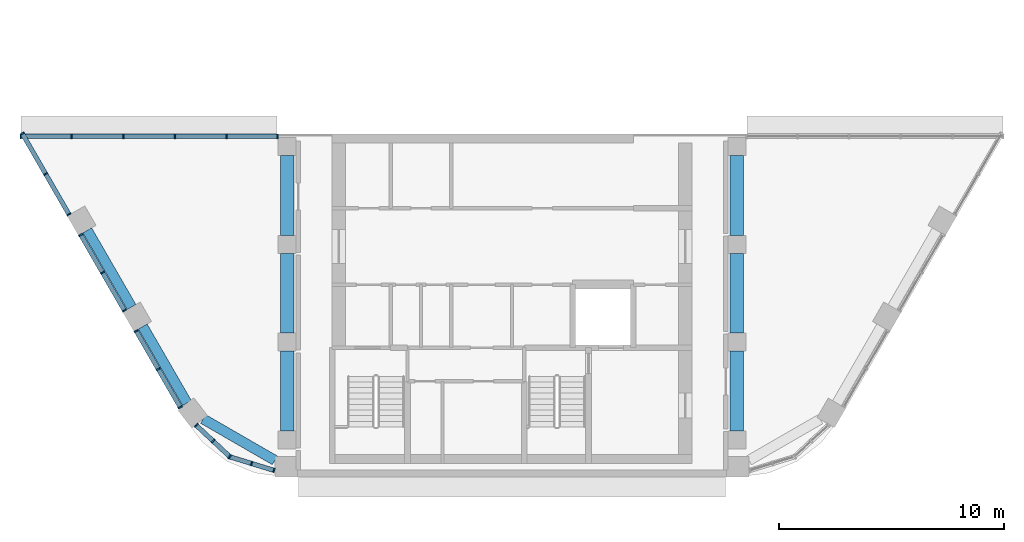
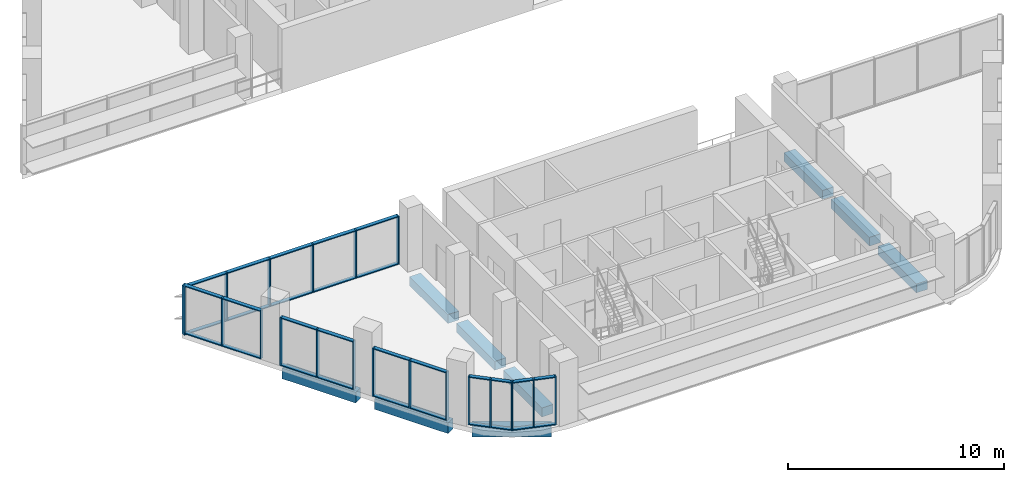
# One storey, part 2 of 15: 51 members, 9 beams, 6 elements without a shape of their own.
"""IFC4 building model written with IfcOpenShell, lengths in metres."""

from ifc_helpers import new_model, si_unit, direction, frame, origin, origin_2d, place, context, subcontext, project, spatial, rectangle, extrude, material, layer, layer_set, material_profile, profile_set, type_object, element, aggregate, save


model = new_model("IFC4")

# Units and contexts
model_context = context("Model", 3, precision=1e-05, world=origin(), true_north=direction((0.0, 1.0)))
body_context = subcontext(model_context, "Body", "Model", "MODEL_VIEW")
ifc_project = project(units=[si_unit("LENGTHUNIT", "METRE"), si_unit("AREAUNIT", "SQUARE_METRE"), si_unit("VOLUMEUNIT", "CUBIC_METRE"), si_unit("PLANEANGLEUNIT", "RADIAN"), si_unit("MASSUNIT", "GRAM", prefix="KILO")], contexts=[model_context])

# Site, building, storey
site_placement = place(None, origin())
site = spatial("IfcSite", under=ifc_project, at=site_placement, CompositionType="ELEMENT")
building_placement = place(site_placement, origin())
building = spatial("IfcBuilding", under=site, at=building_placement, Name="Nakaniwa Court", CompositionType="ELEMENT")
storey_placement = place(building_placement, frame((0.0, 0.0, 283.199951171875)))
storey = spatial("IfcBuildingStorey", under=building, at=storey_placement, Name="C04", CompositionType="ELEMENT", Elevation=283.199951171875)

# Beams
ifc_material_1 = material(Name="Concrete C80/100", Category="concrete")
ifc_material_profile_1 = material_profile(ifc_material_1, rectangle(XDim=0.449951171875, YDim=0.60009765625, at=origin_2d()), Name="Concrete C80/100 RC 450x600 spandrel beam")
ifc_profile_set_1 = profile_set([ifc_material_profile_1], Name="Concrete C80/100")
beam_type_1 = type_object("IfcBeamType", Name="Concrete C80/100 RC 450x600 spandrel beam", PredefinedType="BEAM", material=ifc_profile_set_1)
beam_1_placement = place(storey_placement, frame((61.110595703125, 68.3173828125, -0.574951171875), z_axis=(0.500021313302, -0.866013098194, 0.0), x_axis=(0.866013098194, 0.500021313302, 0.0)))
element("IfcBeam", 1, at=beam_1_placement, inside=storey, type_object=beam_type_1, Name="SPANDREL BEAM", PredefinedType="BEAM", context=body_context, shape_type="SweptSolid", body=[
    extrude(rectangle(XDim=0.449951171875, YDim=0.60009765625, at=origin_2d()), origin(), (0.0, 0.0, 1.0), 3.936279296875),
])
beam_2_placement = place(storey_placement, frame((63.578857421875, 64.04248046875, -0.574951171875), z_axis=(0.499958946799, -0.866049104564, 0.0), x_axis=(0.866049104564, 0.499958946799, 0.0)))
element("IfcBeam", 2, at=beam_2_placement, inside=storey, type_object=beam_type_1, Name="SPANDREL BEAM", PredefinedType="BEAM", context=body_context, shape_type="SweptSolid", body=[
    extrude(rectangle(XDim=0.449951171875, YDim=0.60009765625, at=origin_2d()), origin(), (0.0, 0.0, 1.0), 3.931884765625),
])
beam_3_placement = place(storey_placement, frame((66.265625, 59.929931640625, -0.574951171875), z_axis=(0.866006720078, -0.500032359733, 0.0), x_axis=(0.500032359733, 0.866006720078, 0.0)))
element("IfcBeam", 3, at=beam_3_placement, inside=storey, type_object=beam_type_1, Name="SPANDREL BEAM", PredefinedType="BEAM", context=body_context, shape_type="SweptSolid", body=[
    extrude(rectangle(XDim=0.449951171875, YDim=0.60009765625, at=origin_2d()), origin(), (0.0, 0.0, 1.0), 3.682373046875),
])
ifc_material_profile_2 = material_profile(ifc_material_1, rectangle(XDim=0.60009765625, YDim=0.5, at=origin_2d()), Name="Concrete C80/100 RC 600x500 ring beam")
ifc_profile_set_2 = profile_set([ifc_material_profile_2], Name="Concrete C80/100")
beam_type_2 = type_object("IfcBeamType", Name="Concrete C80/100 RC 600x500 ring beam", PredefinedType="BEAM", material=ifc_profile_set_2)
for number, where, z_axis, x_axis, name in (
    (4, (90.0, 59.39990234375, -0.52490234375), (0.0, 1.0, 0.0), (-1.0, 0.0, 0.0), "RING BEAM"),
    (5, (90.0, 63.75, -0.52490234375), (0.0, 1.0, 0.0), (-1.0, 0.0, 0.0), "RING BEAM"),
):
    element("IfcBeam", number, at=place(storey_placement, frame(where, z_axis=z_axis, x_axis=x_axis)), inside=storey, type_object=beam_type_2, Name=name, PredefinedType="BEAM", context=body_context, shape_type="SweptSolid", body=[
        extrude(rectangle(XDim=0.60009765625, YDim=0.5, at=origin_2d()), origin(), (0.0, 0.0, 1.0), 3.550048828125),
    ])
for number, where, z_axis, x_axis, name in (
    (6, (90.0, 68.10009765625, -0.52490234375), (0.0, 1.0, 0.0), (-1.0, 0.0, 0.0), "RING BEAM"),
    (7, (70.0, 71.64990234375, -0.52490234375), (0.0, -1.0, 0.0), (1.0, 0.0, 0.0), "RING BEAM"),
):
    element("IfcBeam", number, at=place(storey_placement, frame(where, z_axis=z_axis, x_axis=x_axis)), inside=storey, type_object=beam_type_2, Name=name, PredefinedType="BEAM", context=body_context, shape_type="SweptSolid", body=[
        extrude(rectangle(XDim=0.60009765625, YDim=0.5, at=origin_2d()), origin(), (0.0, 0.0, 1.0), 3.5498046875),
    ])
for number, where, z_axis, x_axis, name in (
    (8, (70.0, 67.300048828125, -0.52490234375), (0.0, -1.0, 0.0), (1.0, 0.0, 0.0), "RING BEAM"),
    (9, (70.0, 62.949951171875, -0.52490234375), (0.0, -1.0, 0.0), (1.0, 0.0, 0.0), "RING BEAM"),
):
    element("IfcBeam", number, at=place(storey_placement, frame(where, z_axis=z_axis, x_axis=x_axis)), inside=storey, type_object=beam_type_2, Name=name, PredefinedType="BEAM", context=body_context, shape_type="SweptSolid", body=[
        extrude(rectangle(XDim=0.60009765625, YDim=0.5, at=origin_2d()), origin(), (0.0, 0.0, 1.0), 3.550048828125),
    ])

# Curtain wall, members
ifc_material_2 = material(Name="Black anodised aluminium frame with dark low-E laminated double glazing", Category="aluminium")
ifc_layer = layer(ifc_material_2, 0.199951171875)
ifc_layer_set = layer_set([ifc_layer], Name="Black anodised aluminium frame with dark low-E laminated double glazing")
curtain_wall_type = type_object("IfcCurtainWallType", Name="Crown curtain wall", PredefinedType="NOTDEFINED", material=ifc_layer_set)
curtain_wall_1_placement = place(storey_placement, origin())
curtain_wall_1 = element("IfcCurtainWall", 10, at=curtain_wall_1_placement, inside=storey, type_object=curtain_wall_type, Name="C04 curtain wall CW4 04", PredefinedType="NOTDEFINED")
ifc_material_3 = material(Name="Black anodised aluminium extrusion", Category="aluminium")
ifc_material_profile_3 = material_profile(ifc_material_3, rectangle(XDim=0.199951171875, YDim=0.06494140625, at=origin_2d()), Name="Crown curtain wall mullion 65x200")
ifc_profile_set_3 = profile_set([ifc_material_profile_3], Name="Black anodised aluminium extrusion")
member_type_1 = type_object("IfcMemberType", Name="Crown curtain wall mullion 65x200", PredefinedType="MULLION", material=ifc_profile_set_3)
member_1_placement = place(storey_placement, frame((69.571533203125, 72.5, 0.0), z_axis=(0.0, 0.0, 1.0), x_axis=(0.0, -1.0, 0.0)))
member_1 = element("IfcMember", 11, at=member_1_placement, type_object=member_type_1, Name="CW4 mullion 1", PredefinedType="MULLION", context=body_context, shape_type="SweptSolid", body=[
    extrude(rectangle(XDim=0.199951171875, YDim=0.06494140625, at=origin_2d()), origin(), (0.0, 0.0, 1.0), 2.72509765625),
])
member_2_placement = place(storey_placement, frame((67.306884765625, 72.5, 0.0), z_axis=(0.0, 0.0, 1.0), x_axis=(0.0, -1.0, 0.0)))
member_2 = element("IfcMember", 12, at=member_2_placement, type_object=member_type_1, Name="CW4 mullion 2", PredefinedType="MULLION", context=body_context, shape_type="SweptSolid", body=[
    extrude(rectangle(XDim=0.199951171875, YDim=0.06494140625, at=origin_2d()), origin(), (0.0, 0.0, 1.0), 2.72509765625),
])
member_3_placement = place(storey_placement, frame((65.009765625, 72.5, 0.0), z_axis=(0.0, 0.0, 1.0), x_axis=(0.0, -1.0, 0.0)))
member_3 = element("IfcMember", 13, at=member_3_placement, type_object=member_type_1, Name="CW4 mullion 3", PredefinedType="MULLION", context=body_context, shape_type="SweptSolid", body=[
    extrude(rectangle(XDim=0.199951171875, YDim=0.06494140625, at=origin_2d()), origin(), (0.0, 0.0, 1.0), 2.72509765625),
])
member_4_placement = place(storey_placement, frame((62.712646484375, 72.5, 0.0), z_axis=(0.0, 0.0, 1.0), x_axis=(0.0, -1.0, 0.0)))
member_4 = element("IfcMember", 14, at=member_4_placement, type_object=member_type_1, Name="CW4 mullion 4", PredefinedType="MULLION", context=body_context, shape_type="SweptSolid", body=[
    extrude(rectangle(XDim=0.199951171875, YDim=0.06494140625, at=origin_2d()), origin(), (0.0, 0.0, 1.0), 2.72509765625),
])
member_5_placement = place(storey_placement, frame((60.41552734375, 72.5, 0.0), z_axis=(0.0, 0.0, 1.0), x_axis=(0.0, -1.0, 0.0)))
member_5 = element("IfcMember", 15, at=member_5_placement, type_object=member_type_1, Name="CW4 mullion 5", PredefinedType="MULLION", context=body_context, shape_type="SweptSolid", body=[
    extrude(rectangle(XDim=0.199951171875, YDim=0.06494140625, at=origin_2d()), origin(), (0.0, 0.0, 1.0), 2.72509765625),
])
member_6_placement = place(storey_placement, frame((58.15087890625, 72.5, 0.0), z_axis=(0.0, 0.0, 1.0), x_axis=(0.0, -1.0, 0.0)))
member_6 = element("IfcMember", 16, at=member_6_placement, type_object=member_type_1, Name="CW4 mullion 6", PredefinedType="MULLION", context=body_context, shape_type="SweptSolid", body=[
    extrude(rectangle(XDim=0.199951171875, YDim=0.06494140625, at=origin_2d()), origin(), (0.0, 0.0, 1.0), 2.72509765625),
])

curtain_wall_2_placement = place(storey_placement, origin())
curtain_wall_2 = element("IfcCurtainWall", 17, at=curtain_wall_2_placement, inside=storey, type_object=curtain_wall_type, Name="C04 curtain wall CW4 05", PredefinedType="NOTDEFINED")
member_7_placement = place(storey_placement, frame((58.22119140625, 72.621826171875, 0.0), z_axis=(0.0, 0.0, 1.0), x_axis=(0.866021000852, 0.500007626024, 0.0)))
member_7 = element("IfcMember", 18, at=member_7_placement, type_object=member_type_1, Name="CW4 mullion 1", PredefinedType="MULLION", context=body_context, shape_type="SweptSolid", body=[
    extrude(rectangle(XDim=0.199951171875, YDim=0.06494140625, at=origin_2d()), origin(), (0.0, 0.0, 1.0), 2.72509765625),
])
member_8_placement = place(storey_placement, frame((59.25732421875, 70.827392578125, 0.0), z_axis=(0.0, 0.0, 1.0), x_axis=(0.866021000852, 0.500007626024, 0.0)))
member_8 = element("IfcMember", 19, at=member_8_placement, type_object=member_type_1, Name="CW4 mullion 2", PredefinedType="MULLION", context=body_context, shape_type="SweptSolid", body=[
    extrude(rectangle(XDim=0.199951171875, YDim=0.06494140625, at=origin_2d()), origin(), (0.0, 0.0, 1.0), 2.72509765625),
])
member_9_placement = place(storey_placement, frame((60.29345703125, 69.032958984375, 0.0), z_axis=(0.0, 0.0, 1.0), x_axis=(0.866021000852, 0.500007626024, 0.0)))
member_9 = element("IfcMember", 20, at=member_9_placement, type_object=member_type_1, Name="CW4 mullion 3", PredefinedType="MULLION", context=body_context, shape_type="SweptSolid", body=[
    extrude(rectangle(XDim=0.199951171875, YDim=0.06494140625, at=origin_2d()), origin(), (0.0, 0.0, 1.0), 2.72509765625),
])

curtain_wall_3_placement = place(storey_placement, origin())
curtain_wall_3 = element("IfcCurtainWall", 21, at=curtain_wall_3_placement, inside=storey, type_object=curtain_wall_type, Name="C04 curtain wall CW4 06", PredefinedType="NOTDEFINED")
member_10_placement = place(storey_placement, frame((60.82177734375, 68.11767578125, 0.0), z_axis=(0.0, 0.0, 1.0), x_axis=(0.866033174523, 0.499986540445, 0.0)))
member_10 = element("IfcMember", 22, at=member_10_placement, type_object=member_type_1, Name="CW4 mullion 1", PredefinedType="MULLION", context=body_context, shape_type="SweptSolid", body=[
    extrude(rectangle(XDim=0.199951171875, YDim=0.06494140625, at=origin_2d()), origin(), (0.0, 0.0, 1.0), 2.72509765625),
])
member_11_placement = place(storey_placement, frame((61.791748046875, 66.437744140625, 0.0), z_axis=(0.0, 0.0, 1.0), x_axis=(0.866033174523, 0.499986540445, 0.0)))
member_11 = element("IfcMember", 23, at=member_11_placement, type_object=member_type_1, Name="CW4 mullion 2", PredefinedType="MULLION", context=body_context, shape_type="SweptSolid", body=[
    extrude(rectangle(XDim=0.199951171875, YDim=0.06494140625, at=origin_2d()), origin(), (0.0, 0.0, 1.0), 2.72509765625),
])
member_12_placement = place(storey_placement, frame((62.761474609375, 64.758056640625, 0.0), z_axis=(0.0, 0.0, 1.0), x_axis=(0.866033174523, 0.499986540445, 0.0)))
member_12 = element("IfcMember", 24, at=member_12_placement, type_object=member_type_1, Name="CW4 mullion 3", PredefinedType="MULLION", context=body_context, shape_type="SweptSolid", body=[
    extrude(rectangle(XDim=0.199951171875, YDim=0.06494140625, at=origin_2d()), origin(), (0.0, 0.0, 1.0), 2.72509765625),
])

curtain_wall_4_placement = place(storey_placement, origin())
curtain_wall_4 = element("IfcCurtainWall", 25, at=curtain_wall_4_placement, inside=storey, type_object=curtain_wall_type, Name="C04 curtain wall CW4 07", PredefinedType="NOTDEFINED")
member_13_placement = place(storey_placement, frame((63.2900390625, 63.8427734375, 0.0), z_axis=(0.0, 0.0, 1.0), x_axis=(0.866027822975, 0.499995809815, 0.0)))
member_13 = element("IfcMember", 26, at=member_13_placement, type_object=member_type_1, Name="CW4 mullion 1", PredefinedType="MULLION", context=body_context, shape_type="SweptSolid", body=[
    extrude(rectangle(XDim=0.199951171875, YDim=0.06494140625, at=origin_2d()), origin(), (0.0, 0.0, 1.0), 2.72509765625),
])
member_14_placement = place(storey_placement, frame((64.2685546875, 62.147705078125, 0.0), z_axis=(0.0, 0.0, 1.0), x_axis=(0.866027822975, 0.499995809815, 0.0)))
member_14 = element("IfcMember", 27, at=member_14_placement, type_object=member_type_1, Name="CW4 mullion 2", PredefinedType="MULLION", context=body_context, shape_type="SweptSolid", body=[
    extrude(rectangle(XDim=0.199951171875, YDim=0.06494140625, at=origin_2d()), origin(), (0.0, 0.0, 1.0), 2.72509765625),
])
member_15_placement = place(storey_placement, frame((65.2470703125, 60.45263671875, 0.0), z_axis=(0.0, 0.0, 1.0), x_axis=(0.866027822975, 0.499995809815, 0.0)))
member_15 = element("IfcMember", 28, at=member_15_placement, type_object=member_type_1, Name="CW4 mullion 3", PredefinedType="MULLION", context=body_context, shape_type="SweptSolid", body=[
    extrude(rectangle(XDim=0.199951171875, YDim=0.06494140625, at=origin_2d()), origin(), (0.0, 0.0, 1.0), 2.72509765625),
])

curtain_wall_5_placement = place(storey_placement, origin())
curtain_wall_5 = element("IfcCurtainWall", 29, at=curtain_wall_5_placement, inside=storey, type_object=curtain_wall_type, Name="C04 curtain wall CW4 08", PredefinedType="NOTDEFINED")
member_16_placement = place(storey_placement, frame((65.959228515625, 59.649169921875, 0.0), z_axis=(0.0, 0.0, 1.0), x_axis=(0.684182155809, 0.729311166562, 0.0)))
member_16 = element("IfcMember", 30, at=member_16_placement, type_object=member_type_1, Name="CW4 mullion 1", PredefinedType="MULLION", context=body_context, shape_type="SweptSolid", body=[
    extrude(rectangle(XDim=0.199951171875, YDim=0.06494140625, at=origin_2d()), origin(), (0.0, 0.0, 1.0), 2.72509765625),
])
member_17_placement = place(storey_placement, frame((66.71044921875, 58.9443359375, 0.0), z_axis=(0.0, 0.0, 1.0), x_axis=(0.684182155809, 0.729311166562, 0.0)))
member_17 = element("IfcMember", 31, at=member_17_placement, type_object=member_type_1, Name="CW4 mullion 2", PredefinedType="MULLION", context=body_context, shape_type="SweptSolid", body=[
    extrude(rectangle(XDim=0.199951171875, YDim=0.06494140625, at=origin_2d()), origin(), (0.0, 0.0, 1.0), 2.72509765625),
])
member_18_placement = place(storey_placement, frame((67.461669921875, 58.23974609375, 0.0), z_axis=(0.0, 0.0, 1.0), x_axis=(0.684182155809, 0.729311166562, 0.0)))
member_18 = element("IfcMember", 32, at=member_18_placement, type_object=member_type_1, Name="CW4 mullion 3", PredefinedType="MULLION", context=body_context, shape_type="SweptSolid", body=[
    extrude(rectangle(XDim=0.199951171875, YDim=0.06494140625, at=origin_2d()), origin(), (0.0, 0.0, 1.0), 2.72509765625),
])

curtain_wall_6_placement = place(storey_placement, origin())
curtain_wall_6 = element("IfcCurtainWall", 33, at=curtain_wall_6_placement, inside=storey, type_object=curtain_wall_type, Name="C04 curtain wall CW4 09", PredefinedType="NOTDEFINED")
member_19_placement = place(storey_placement, frame((67.42333984375, 58.255615234375, 0.0), z_axis=(0.0, 0.0, 1.0), x_axis=(0.293506245143, 0.955957155976, 0.0)))
member_19 = element("IfcMember", 34, at=member_19_placement, type_object=member_type_1, Name="CW4 mullion 1", PredefinedType="MULLION", context=body_context, shape_type="SweptSolid", body=[
    extrude(rectangle(XDim=0.199951171875, YDim=0.06494140625, at=origin_2d()), origin(), (0.0, 0.0, 1.0), 2.72509765625),
])
member_20_placement = place(storey_placement, frame((68.41796875, 57.9501953125, 0.0), z_axis=(0.0, 0.0, 1.0), x_axis=(0.293506245143, 0.955957155976, 0.0)))
member_20 = element("IfcMember", 35, at=member_20_placement, type_object=member_type_1, Name="CW4 mullion 2", PredefinedType="MULLION", context=body_context, shape_type="SweptSolid", body=[
    extrude(rectangle(XDim=0.199951171875, YDim=0.06494140625, at=origin_2d()), origin(), (0.0, 0.0, 1.0), 2.72509765625),
])
member_21_placement = place(storey_placement, frame((69.412841796875, 57.644775390625, 0.0), z_axis=(0.0, 0.0, 1.0), x_axis=(0.293506245143, 0.955957155976, 0.0)))
member_21 = element("IfcMember", 36, at=member_21_placement, type_object=member_type_1, Name="CW4 mullion 3", PredefinedType="MULLION", context=body_context, shape_type="SweptSolid", body=[
    extrude(rectangle(XDim=0.199951171875, YDim=0.06494140625, at=origin_2d()), origin(), (0.0, 0.0, 1.0), 2.72509765625),
])

# Member
ifc_material_profile_4 = material_profile(ifc_material_3, rectangle(XDim=0.199951171875, YDim=0.054931640625, at=origin_2d()), Name="Crown curtain wall transom 55x200")
ifc_profile_set_4 = profile_set([ifc_material_profile_4], Name="Black anodised aluminium extrusion")
member_type_2 = type_object("IfcMemberType", Name="Crown curtain wall transom 55x200", PredefinedType="USERDEFINED", material=ifc_profile_set_4)
member_22_placement = place(storey_placement, frame((69.5390625, 72.5, 0.027587890625), z_axis=(-1.0, 0.0, 0.0), x_axis=(0.0, -1.0, 0.0)))
member_22 = element("IfcMember", 37, at=member_22_placement, type_object=member_type_2, Name="CW4 transom 1.1", ObjectType="TRANSOM", PredefinedType="USERDEFINED", context=body_context, shape_type="SweptSolid", body=[
    extrude(rectangle(XDim=0.199951171875, YDim=0.054931640625, at=origin_2d()), origin(), (0.0, 0.0, 1.0), 2.19970703125),
])

member_23_placement = place(storey_placement, frame((69.5390625, 72.5, 2.697509765625), z_axis=(-1.0, 0.0, 0.0), x_axis=(0.0, -1.0, 0.0)))
member_23 = element("IfcMember", 38, at=member_23_placement, type_object=member_type_2, Name="CW4 transom 1.2", ObjectType="TRANSOM", PredefinedType="USERDEFINED", context=body_context, shape_type="SweptSolid", body=[
    extrude(rectangle(XDim=0.199951171875, YDim=0.054931640625, at=origin_2d()), origin(), (0.0, 0.0, 1.0), 2.19970703125),
])

member_24_placement = place(storey_placement, frame((67.2744140625, 72.5, 0.027587890625), z_axis=(-1.0, 0.0, 0.0), x_axis=(0.0, -1.0, 0.0)))
member_24 = element("IfcMember", 39, at=member_24_placement, type_object=member_type_2, Name="CW4 transom 2.1", ObjectType="TRANSOM", PredefinedType="USERDEFINED", context=body_context, shape_type="SweptSolid", body=[
    extrude(rectangle(XDim=0.199951171875, YDim=0.054931640625, at=origin_2d()), origin(), (0.0, 0.0, 1.0), 2.232177734375),
])

member_25_placement = place(storey_placement, frame((67.2744140625, 72.5, 2.697509765625), z_axis=(-1.0, 0.0, 0.0), x_axis=(0.0, -1.0, 0.0)))
member_25 = element("IfcMember", 40, at=member_25_placement, type_object=member_type_2, Name="CW4 transom 2.2", ObjectType="TRANSOM", PredefinedType="USERDEFINED", context=body_context, shape_type="SweptSolid", body=[
    extrude(rectangle(XDim=0.199951171875, YDim=0.054931640625, at=origin_2d()), origin(), (0.0, 0.0, 1.0), 2.232177734375),
])

member_26_placement = place(storey_placement, frame((64.977294921875, 72.5, 0.027587890625), z_axis=(-1.0, 0.0, 0.0), x_axis=(0.0, -1.0, 0.0)))
member_26 = element("IfcMember", 41, at=member_26_placement, type_object=member_type_2, Name="CW4 transom 3.1", ObjectType="TRANSOM", PredefinedType="USERDEFINED", context=body_context, shape_type="SweptSolid", body=[
    extrude(rectangle(XDim=0.199951171875, YDim=0.054931640625, at=origin_2d()), origin(), (0.0, 0.0, 1.0), 2.232177734375),
])

member_27_placement = place(storey_placement, frame((64.977294921875, 72.5, 2.697509765625), z_axis=(-1.0, 0.0, 0.0), x_axis=(0.0, -1.0, 0.0)))
member_27 = element("IfcMember", 42, at=member_27_placement, type_object=member_type_2, Name="CW4 transom 3.2", ObjectType="TRANSOM", PredefinedType="USERDEFINED", context=body_context, shape_type="SweptSolid", body=[
    extrude(rectangle(XDim=0.199951171875, YDim=0.054931640625, at=origin_2d()), origin(), (0.0, 0.0, 1.0), 2.232177734375),
])

member_28_placement = place(storey_placement, frame((62.68017578125, 72.5, 0.027587890625), z_axis=(-1.0, 0.0, 0.0), x_axis=(0.0, -1.0, 0.0)))
member_28 = element("IfcMember", 43, at=member_28_placement, type_object=member_type_2, Name="CW4 transom 4.1", ObjectType="TRANSOM", PredefinedType="USERDEFINED", context=body_context, shape_type="SweptSolid", body=[
    extrude(rectangle(XDim=0.199951171875, YDim=0.054931640625, at=origin_2d()), origin(), (0.0, 0.0, 1.0), 2.232177734375),
])

member_29_placement = place(storey_placement, frame((62.68017578125, 72.5, 2.697509765625), z_axis=(-1.0, 0.0, 0.0), x_axis=(0.0, -1.0, 0.0)))
member_29 = element("IfcMember", 44, at=member_29_placement, type_object=member_type_2, Name="CW4 transom 4.2", ObjectType="TRANSOM", PredefinedType="USERDEFINED", context=body_context, shape_type="SweptSolid", body=[
    extrude(rectangle(XDim=0.199951171875, YDim=0.054931640625, at=origin_2d()), origin(), (0.0, 0.0, 1.0), 2.232177734375),
])

member_30_placement = place(storey_placement, frame((60.383056640625, 72.5, 0.027587890625), z_axis=(-1.0, 0.0, 0.0), x_axis=(0.0, -1.0, 0.0)))
member_30 = element("IfcMember", 45, at=member_30_placement, type_object=member_type_2, Name="CW4 transom 5.1", ObjectType="TRANSOM", PredefinedType="USERDEFINED", context=body_context, shape_type="SweptSolid", body=[
    extrude(rectangle(XDim=0.199951171875, YDim=0.054931640625, at=origin_2d()), origin(), (0.0, 0.0, 1.0), 2.19970703125),
])

member_31_placement = place(storey_placement, frame((60.383056640625, 72.5, 2.697509765625), z_axis=(-1.0, 0.0, 0.0), x_axis=(0.0, -1.0, 0.0)))
member_31 = element("IfcMember", 46, at=member_31_placement, type_object=member_type_2, Name="CW4 transom 5.2", ObjectType="TRANSOM", PredefinedType="USERDEFINED", context=body_context, shape_type="SweptSolid", body=[
    extrude(rectangle(XDim=0.199951171875, YDim=0.054931640625, at=origin_2d()), origin(), (0.0, 0.0, 1.0), 2.19970703125),
])

aggregate(curtain_wall_1, [member_1, member_2, member_3, member_4, member_5, member_6, member_22, member_23, member_24, member_25, member_26, member_27, member_28, member_29, member_30, member_31])

member_32_placement = place(storey_placement, frame((58.237548828125, 72.59375, 0.027587890625), z_axis=(0.499933044277, -0.866064057238, 0.0), x_axis=(0.866064057238, 0.499933044277, 0.0)))
member_32 = element("IfcMember", 47, at=member_32_placement, type_object=member_type_2, Name="CW4 transom 1.1", ObjectType="TRANSOM", PredefinedType="USERDEFINED", context=body_context, shape_type="SweptSolid", body=[
    extrude(rectangle(XDim=0.199951171875, YDim=0.054931640625, at=origin_2d()), origin(), (0.0, 0.0, 1.0), 2.007080078125),
])

member_33_placement = place(storey_placement, frame((58.237548828125, 72.59375, 2.697509765625), z_axis=(0.499933044277, -0.866064057238, 0.0), x_axis=(0.866064057238, 0.499933044277, 0.0)))
member_33 = element("IfcMember", 48, at=member_33_placement, type_object=member_type_2, Name="CW4 transom 1.2", ObjectType="TRANSOM", PredefinedType="USERDEFINED", context=body_context, shape_type="SweptSolid", body=[
    extrude(rectangle(XDim=0.199951171875, YDim=0.054931640625, at=origin_2d()), origin(), (0.0, 0.0, 1.0), 2.007080078125),
])

member_34_placement = place(storey_placement, frame((59.2734375, 70.79931640625, 0.027587890625), z_axis=(0.500024272756, -0.866011389449, 0.0), x_axis=(0.866011389449, 0.500024272756, 0.0)))
member_34 = element("IfcMember", 49, at=member_34_placement, type_object=member_type_2, Name="CW4 transom 2.1", ObjectType="TRANSOM", PredefinedType="USERDEFINED", context=body_context, shape_type="SweptSolid", body=[
    extrude(rectangle(XDim=0.199951171875, YDim=0.054931640625, at=origin_2d()), origin(), (0.0, 0.0, 1.0), 2.00732421875),
])

member_35_placement = place(storey_placement, frame((59.2734375, 70.79931640625, 2.697509765625), z_axis=(0.500024272756, -0.866011389449, 0.0), x_axis=(0.866011389449, 0.500024272756, 0.0)))
member_35 = element("IfcMember", 50, at=member_35_placement, type_object=member_type_2, Name="CW4 transom 2.2", ObjectType="TRANSOM", PredefinedType="USERDEFINED", context=body_context, shape_type="SweptSolid", body=[
    extrude(rectangle(XDim=0.199951171875, YDim=0.054931640625, at=origin_2d()), origin(), (0.0, 0.0, 1.0), 2.00732421875),
])

aggregate(curtain_wall_2, [member_7, member_8, member_9, member_32, member_33, member_34, member_35])

member_36_placement = place(storey_placement, frame((60.838134765625, 68.089599609375, 0.027587890625), z_axis=(0.499962952589, -0.86604679206, 0.0), x_axis=(0.86604679206, 0.499962952589, 0.0)))
member_36 = element("IfcMember", 51, at=member_36_placement, type_object=member_type_2, Name="CW4 transom 1.1", ObjectType="TRANSOM", PredefinedType="USERDEFINED", context=body_context, shape_type="SweptSolid", body=[
    extrude(rectangle(XDim=0.199951171875, YDim=0.054931640625, at=origin_2d()), origin(), (0.0, 0.0, 1.0), 1.874755859375),
])

member_37_placement = place(storey_placement, frame((60.838134765625, 68.089599609375, 2.697509765625), z_axis=(0.499962952589, -0.86604679206, 0.0), x_axis=(0.86604679206, 0.499962952589, 0.0)))
member_37 = element("IfcMember", 52, at=member_37_placement, type_object=member_type_2, Name="CW4 transom 1.2", ObjectType="TRANSOM", PredefinedType="USERDEFINED", context=body_context, shape_type="SweptSolid", body=[
    extrude(rectangle(XDim=0.199951171875, YDim=0.054931640625, at=origin_2d()), origin(), (0.0, 0.0, 1.0), 1.874755859375),
])

member_38_placement = place(storey_placement, frame((61.807861328125, 66.40966796875, 0.027587890625), z_axis=(0.499962952589, -0.86604679206, 0.0), x_axis=(0.86604679206, 0.499962952589, 0.0)))
member_38 = element("IfcMember", 53, at=member_38_placement, type_object=member_type_2, Name="CW4 transom 2.1", ObjectType="TRANSOM", PredefinedType="USERDEFINED", context=body_context, shape_type="SweptSolid", body=[
    extrude(rectangle(XDim=0.199951171875, YDim=0.054931640625, at=origin_2d()), origin(), (0.0, 0.0, 1.0), 1.874755859375),
])

member_39_placement = place(storey_placement, frame((61.807861328125, 66.40966796875, 2.697509765625), z_axis=(0.499962952589, -0.86604679206, 0.0), x_axis=(0.86604679206, 0.499962952589, 0.0)))
member_39 = element("IfcMember", 54, at=member_39_placement, type_object=member_type_2, Name="CW4 transom 2.2", ObjectType="TRANSOM", PredefinedType="USERDEFINED", context=body_context, shape_type="SweptSolid", body=[
    extrude(rectangle(XDim=0.199951171875, YDim=0.054931640625, at=origin_2d()), origin(), (0.0, 0.0, 1.0), 1.874755859375),
])

aggregate(curtain_wall_3, [member_10, member_11, member_12, member_36, member_37, member_38, member_39])

member_40_placement = place(storey_placement, frame((63.30615234375, 63.814697265625, 0.027587890625), z_axis=(0.499927200086, -0.866067430755, 0.0), x_axis=(0.866067430755, 0.499927200086, 0.0)))
member_40 = element("IfcMember", 55, at=member_40_placement, type_object=member_type_2, Name="CW4 transom 1.1", ObjectType="TRANSOM", PredefinedType="USERDEFINED", context=body_context, shape_type="SweptSolid", body=[
    extrude(rectangle(XDim=0.199951171875, YDim=0.054931640625, at=origin_2d()), origin(), (0.0, 0.0, 1.0), 1.892333984375),
])

member_41_placement = place(storey_placement, frame((63.30615234375, 63.814697265625, 2.697509765625), z_axis=(0.499927200086, -0.866067430755, 0.0), x_axis=(0.866067430755, 0.499927200086, 0.0)))
member_41 = element("IfcMember", 56, at=member_41_placement, type_object=member_type_2, Name="CW4 transom 1.2", ObjectType="TRANSOM", PredefinedType="USERDEFINED", context=body_context, shape_type="SweptSolid", body=[
    extrude(rectangle(XDim=0.199951171875, YDim=0.054931640625, at=origin_2d()), origin(), (0.0, 0.0, 1.0), 1.892333984375),
])

member_42_placement = place(storey_placement, frame((64.284912109375, 62.11962890625, 0.027587890625), z_axis=(0.499983064336, -0.866035181374, 0.0), x_axis=(0.866035181374, 0.499983064336, 0.0)))
member_42 = element("IfcMember", 57, at=member_42_placement, type_object=member_type_2, Name="CW4 transom 2.1", ObjectType="TRANSOM", PredefinedType="USERDEFINED", context=body_context, shape_type="SweptSolid", body=[
    extrude(rectangle(XDim=0.199951171875, YDim=0.054931640625, at=origin_2d()), origin(), (0.0, 0.0, 1.0), 1.89208984375),
])

member_43_placement = place(storey_placement, frame((64.284912109375, 62.11962890625, 2.697509765625), z_axis=(0.499983064336, -0.866035181374, 0.0), x_axis=(0.866035181374, 0.499983064336, 0.0)))
member_43 = element("IfcMember", 58, at=member_43_placement, type_object=member_type_2, Name="CW4 transom 2.2", ObjectType="TRANSOM", PredefinedType="USERDEFINED", context=body_context, shape_type="SweptSolid", body=[
    extrude(rectangle(XDim=0.199951171875, YDim=0.054931640625, at=origin_2d()), origin(), (0.0, 0.0, 1.0), 1.89208984375),
])

aggregate(curtain_wall_4, [member_13, member_14, member_15, member_40, member_41, member_42, member_43])

member_44_placement = place(storey_placement, frame((65.98291015625, 59.626953125, 0.027587890625), z_axis=(0.72938728258, -0.684101010093, 0.0), x_axis=(0.684101010093, 0.72938728258, 0.0)))
member_44 = element("IfcMember", 59, at=member_44_placement, type_object=member_type_2, Name="CW4 transom 1.1", ObjectType="TRANSOM", PredefinedType="USERDEFINED", context=body_context, shape_type="SweptSolid", body=[
    extrude(rectangle(XDim=0.199951171875, YDim=0.054931640625, at=origin_2d()), origin(), (0.0, 0.0, 1.0), 0.965087890625),
])

member_45_placement = place(storey_placement, frame((65.98291015625, 59.626953125, 2.697509765625), z_axis=(0.72938728258, -0.684101010093, 0.0), x_axis=(0.684101010093, 0.72938728258, 0.0)))
member_45 = element("IfcMember", 60, at=member_45_placement, type_object=member_type_2, Name="CW4 transom 1.2", ObjectType="TRANSOM", PredefinedType="USERDEFINED", context=body_context, shape_type="SweptSolid", body=[
    extrude(rectangle(XDim=0.199951171875, YDim=0.054931640625, at=origin_2d()), origin(), (0.0, 0.0, 1.0), 0.965087890625),
])

member_46_placement = place(storey_placement, frame((66.734130859375, 58.922119140625, 0.027587890625), z_axis=(0.72938728258, -0.684101010093, 0.0), x_axis=(0.684101010093, 0.72938728258, 0.0)))
member_46 = element("IfcMember", 61, at=member_46_placement, type_object=member_type_2, Name="CW4 transom 2.1", ObjectType="TRANSOM", PredefinedType="USERDEFINED", context=body_context, shape_type="SweptSolid", body=[
    extrude(rectangle(XDim=0.199951171875, YDim=0.054931640625, at=origin_2d()), origin(), (0.0, 0.0, 1.0), 0.965087890625),
])

member_47_placement = place(storey_placement, frame((66.734130859375, 58.922119140625, 2.697509765625), z_axis=(0.72938728258, -0.684101010093, 0.0), x_axis=(0.684101010093, 0.72938728258, 0.0)))
member_47 = element("IfcMember", 62, at=member_47_placement, type_object=member_type_2, Name="CW4 transom 2.2", ObjectType="TRANSOM", PredefinedType="USERDEFINED", context=body_context, shape_type="SweptSolid", body=[
    extrude(rectangle(XDim=0.199951171875, YDim=0.054931640625, at=origin_2d()), origin(), (0.0, 0.0, 1.0), 0.965087890625),
])

aggregate(curtain_wall_5, [member_16, member_17, member_18, member_44, member_45, member_46, member_47])

member_48_placement = place(storey_placement, frame((67.454345703125, 58.24609375, 0.027587890625), z_axis=(0.955946586921, -0.293540666612, 0.0), x_axis=(0.293540666612, 0.955946586921, 0.0)))
member_48 = element("IfcMember", 63, at=member_48_placement, type_object=member_type_2, Name="CW4 transom 1.1", ObjectType="TRANSOM", PredefinedType="USERDEFINED", context=body_context, shape_type="SweptSolid", body=[
    extrude(rectangle(XDim=0.199951171875, YDim=0.054931640625, at=origin_2d()), origin(), (0.0, 0.0, 1.0), 0.9755859375),
])

member_49_placement = place(storey_placement, frame((67.454345703125, 58.24609375, 2.697509765625), z_axis=(0.955946586921, -0.293540666612, 0.0), x_axis=(0.293540666612, 0.955946586921, 0.0)))
member_49 = element("IfcMember", 64, at=member_49_placement, type_object=member_type_2, Name="CW4 transom 1.2", ObjectType="TRANSOM", PredefinedType="USERDEFINED", context=body_context, shape_type="SweptSolid", body=[
    extrude(rectangle(XDim=0.199951171875, YDim=0.054931640625, at=origin_2d()), origin(), (0.0, 0.0, 1.0), 0.9755859375),
])

member_50_placement = place(storey_placement, frame((68.448974609375, 57.940673828125, 0.027587890625), z_axis=(0.955946586921, -0.293540666612, 0.0), x_axis=(0.293540666612, 0.955946586921, 0.0)))
member_50 = element("IfcMember", 65, at=member_50_placement, type_object=member_type_2, Name="CW4 transom 2.1", ObjectType="TRANSOM", PredefinedType="USERDEFINED", context=body_context, shape_type="SweptSolid", body=[
    extrude(rectangle(XDim=0.199951171875, YDim=0.054931640625, at=origin_2d()), origin(), (0.0, 0.0, 1.0), 0.9755859375),
])

member_51_placement = place(storey_placement, frame((68.448974609375, 57.940673828125, 2.697509765625), z_axis=(0.955946586921, -0.293540666612, 0.0), x_axis=(0.293540666612, 0.955946586921, 0.0)))
member_51 = element("IfcMember", 66, at=member_51_placement, type_object=member_type_2, Name="CW4 transom 2.2", ObjectType="TRANSOM", PredefinedType="USERDEFINED", context=body_context, shape_type="SweptSolid", body=[
    extrude(rectangle(XDim=0.199951171875, YDim=0.054931640625, at=origin_2d()), origin(), (0.0, 0.0, 1.0), 0.9755859375),
])

aggregate(curtain_wall_6, [member_19, member_20, member_21, member_48, member_49, member_50, member_51])

save(model, "model.ifc")
